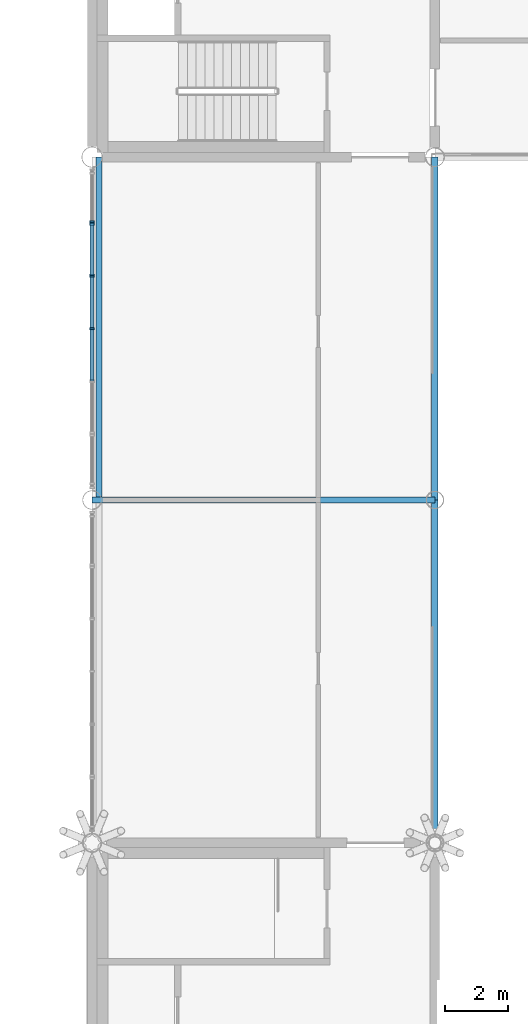
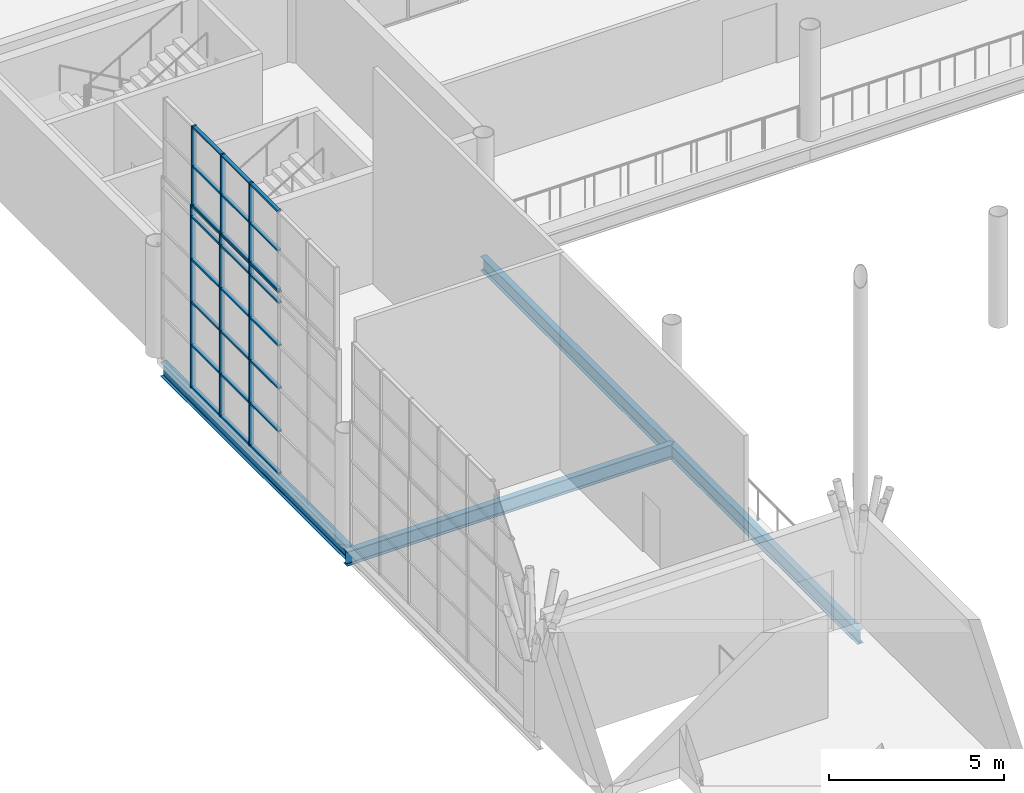
# One storey, part 15 of 95: 33 members, 4 beams, 2 elements without a shape of their own.
"""IFC4 building model written with IfcOpenShell, lengths in metres."""

from ifc_helpers import new_model, si_unit, direction, frame, origin, origin_2d, place, context, subcontext, project, spatial, rectangle, i_section, extrude, material, layer, layer_set, material_profile, profile_set, type_object, element, aggregate, save


model = new_model("IFC4")

# Units and contexts
model_context = context("Model", 3, precision=1e-05, world=origin(), true_north=direction((0.0, 1.0)))
body_context = subcontext(model_context, "Body", "Model", "MODEL_VIEW")
ifc_project = project(units=[si_unit("LENGTHUNIT", "METRE"), si_unit("AREAUNIT", "SQUARE_METRE"), si_unit("VOLUMEUNIT", "CUBIC_METRE"), si_unit("PLANEANGLEUNIT", "RADIAN"), si_unit("MASSUNIT", "GRAM", prefix="KILO")], contexts=[model_context])

# Site, building, storey
site_placement = place(None, origin())
site = spatial("IfcSite", under=ifc_project, at=site_placement, CompositionType="ELEMENT")
building_placement = place(site_placement, origin())
building = spatial("IfcBuilding", under=site, at=building_placement, Name="Magnolia Steps Interchange", CompositionType="ELEMENT")
storey_placement = place(building_placement, frame((0.0, 0.0, 4.800048828125)))
storey = spatial("IfcBuildingStorey", under=building, at=storey_placement, Name="L01", CompositionType="ELEMENT", Elevation=4.800048828125)

# Curtain wall, members
ifc_material_1 = material(Name="Powder-coated aluminium and glass", Category="aluminium")
ifc_layer_1 = layer(ifc_material_1, 0.14990234375)
ifc_layer_set_1 = layer_set([ifc_layer_1], Name="Glazed hall curtain wall")
curtain_wall_type_1 = type_object("IfcCurtainWallType", Name="Glazed hall curtain wall", PredefinedType="NOTDEFINED", material=ifc_layer_set_1)
curtain_wall_1_placement = place(storey_placement, origin())
curtain_wall_1 = element("IfcCurtainWall", 1, at=curtain_wall_1_placement, inside=storey, type_object=curtain_wall_type_1, Name="Hall glazing W3 L01", PredefinedType="NOTDEFINED")
ifc_material_2 = material(Name="White powder-coated aluminium", Category="aluminium")
ifc_material_profile_1 = material_profile(ifc_material_2, rectangle(XDim=0.06005859375, YDim=0.14990234375, at=origin_2d()), Name="Aluminium mullion 60 x 150")
ifc_profile_set_1 = profile_set([ifc_material_profile_1], Name="White powder-coated aluminium")
member_type_1 = type_object("IfcMemberType", Name="Aluminium mullion 60 x 150", PredefinedType="MULLION", material=ifc_profile_set_1)
member_1_placement = place(storey_placement, frame((53.199951171875, 69.39990234375, 0.0), z_axis=(0.0, 0.0, 1.0), x_axis=(0.0, 1.0, 0.0)))
member_1 = element("IfcMember", 2, at=member_1_placement, type_object=member_type_1, Name="CW1 mullion 4", PredefinedType="MULLION", context=body_context, shape_type="SweptSolid", body=[
    extrude(rectangle(XDim=0.06005859375, YDim=0.14990234375, at=origin_2d()), origin(), (0.0, 0.0, 1.0), 6.39990234375),
])
member_2_placement = place(storey_placement, frame((53.199951171875, 71.080078125, 0.0), z_axis=(0.0, 0.0, 1.0), x_axis=(0.0, 1.0, 0.0)))
member_2 = element("IfcMember", 3, at=member_2_placement, type_object=member_type_1, Name="CW1 mullion 5", PredefinedType="MULLION", context=body_context, shape_type="SweptSolid", body=[
    extrude(rectangle(XDim=0.06005859375, YDim=0.14990234375, at=origin_2d()), origin(), (0.0, 0.0, 1.0), 6.39990234375),
])
member_3_placement = place(storey_placement, frame((53.199951171875, 72.760009765625, 0.0), z_axis=(0.0, 0.0, 1.0), x_axis=(0.0, 1.0, 0.0)))
member_3 = element("IfcMember", 4, at=member_3_placement, type_object=member_type_1, Name="CW1 mullion 6", PredefinedType="MULLION", context=body_context, shape_type="SweptSolid", body=[
    extrude(rectangle(XDim=0.06005859375, YDim=0.14990234375, at=origin_2d()), origin(), (0.0, 0.0, 1.0), 6.39990234375),
])

ifc_material_3 = material(Name="Powder-coated aluminium and glass", Category="aluminium")
ifc_layer_2 = layer(ifc_material_3, 0.1201171875)
ifc_layer_set_2 = layer_set([ifc_layer_2], Name="Hall clerestory curtain wall")
curtain_wall_type_2 = type_object("IfcCurtainWallType", Name="Hall clerestory curtain wall", PredefinedType="NOTDEFINED", material=ifc_layer_set_2)
curtain_wall_2_placement = place(storey_placement, origin())
curtain_wall_2 = element("IfcCurtainWall", 5, at=curtain_wall_2_placement, inside=storey, type_object=curtain_wall_type_2, Name="Hall clerestory W3", PredefinedType="NOTDEFINED")
member_4_placement = place(storey_placement, frame((53.199951171875, 69.39990234375, 6.39990234375), z_axis=(0.0, 0.0, 1.0), x_axis=(0.0, 1.0, 0.0)))
member_4 = element("IfcMember", 6, at=member_4_placement, type_object=member_type_1, Name="CW6 mullion 4", PredefinedType="MULLION", context=body_context, shape_type="SweptSolid", body=[
    extrude(rectangle(XDim=0.06005859375, YDim=0.14990234375, at=origin_2d()), origin(), (0.0, 0.0, 1.0), 2.800048828125),
])
member_5_placement = place(storey_placement, frame((53.199951171875, 71.0400390625, 6.39990234375), z_axis=(0.0, 0.0, 1.0), x_axis=(0.0, 1.0, 0.0)))
member_5 = element("IfcMember", 7, at=member_5_placement, type_object=member_type_1, Name="CW6 mullion 5", PredefinedType="MULLION", context=body_context, shape_type="SweptSolid", body=[
    extrude(rectangle(XDim=0.06005859375, YDim=0.14990234375, at=origin_2d()), origin(), (0.0, 0.0, 1.0), 2.800048828125),
])
member_6_placement = place(storey_placement, frame((53.199951171875, 72.679931640625, 6.39990234375), z_axis=(0.0, 0.0, 1.0), x_axis=(0.0, 1.0, 0.0)))
member_6 = element("IfcMember", 8, at=member_6_placement, type_object=member_type_1, Name="CW6 mullion 6", PredefinedType="MULLION", context=body_context, shape_type="SweptSolid", body=[
    extrude(rectangle(XDim=0.06005859375, YDim=0.14990234375, at=origin_2d()), origin(), (0.0, 0.0, 1.0), 2.800048828125),
])

# Member
ifc_material_4 = material(Name="White powder-coated aluminium", Category="aluminium")
ifc_material_profile_2 = material_profile(ifc_material_4, rectangle(XDim=0.06005859375, YDim=0.1201171875, at=origin_2d()), Name="Aluminium transom 60 x 120")
ifc_profile_set_2 = profile_set([ifc_material_profile_2], Name="White powder-coated aluminium")
member_type_2 = type_object("IfcMemberType", Name="Aluminium transom 60 x 120", PredefinedType="USERDEFINED", material=ifc_profile_set_2)
member_7_placement = place(storey_placement, frame((53.199951171875, 67.75, 0.030029296875), z_axis=(0.0, 1.0, 0.0), x_axis=(0.0, 0.0, 1.0)))
member_7 = element("IfcMember", 9, at=member_7_placement, type_object=member_type_2, Name="CW1 transom 3.1", ObjectType="TRANSOM", PredefinedType="USERDEFINED", context=body_context, shape_type="SweptSolid", body=[
    extrude(rectangle(XDim=0.06005859375, YDim=0.1201171875, at=origin_2d()), origin(), (0.0, 0.0, 1.0), 1.6201171875),
])

member_8_placement = place(storey_placement, frame((53.199951171875, 67.75, 1.5), z_axis=(0.0, 1.0, 0.0), x_axis=(0.0, 0.0, 1.0)))
member_8 = element("IfcMember", 10, at=member_8_placement, type_object=member_type_2, Name="CW1 transom 3.2", ObjectType="TRANSOM", PredefinedType="USERDEFINED", context=body_context, shape_type="SweptSolid", body=[
    extrude(rectangle(XDim=0.06005859375, YDim=0.1201171875, at=origin_2d()), origin(), (0.0, 0.0, 1.0), 1.6201171875),
])

member_9_placement = place(storey_placement, frame((53.199951171875, 67.75, 3.0), z_axis=(0.0, 1.0, 0.0), x_axis=(0.0, 0.0, 1.0)))
member_9 = element("IfcMember", 11, at=member_9_placement, type_object=member_type_2, Name="CW1 transom 3.3", ObjectType="TRANSOM", PredefinedType="USERDEFINED", context=body_context, shape_type="SweptSolid", body=[
    extrude(rectangle(XDim=0.06005859375, YDim=0.1201171875, at=origin_2d()), origin(), (0.0, 0.0, 1.0), 1.6201171875),
])

member_10_placement = place(storey_placement, frame((53.199951171875, 67.75, 4.5), z_axis=(0.0, 1.0, 0.0), x_axis=(0.0, 0.0, 1.0)))
member_10 = element("IfcMember", 12, at=member_10_placement, type_object=member_type_2, Name="CW1 transom 3.4", ObjectType="TRANSOM", PredefinedType="USERDEFINED", context=body_context, shape_type="SweptSolid", body=[
    extrude(rectangle(XDim=0.06005859375, YDim=0.1201171875, at=origin_2d()), origin(), (0.0, 0.0, 1.0), 1.6201171875),
])

member_11_placement = place(storey_placement, frame((53.199951171875, 67.75, 6.0), z_axis=(0.0, 1.0, 0.0), x_axis=(0.0, 0.0, 1.0)))
member_11 = element("IfcMember", 13, at=member_11_placement, type_object=member_type_2, Name="CW1 transom 3.5", ObjectType="TRANSOM", PredefinedType="USERDEFINED", context=body_context, shape_type="SweptSolid", body=[
    extrude(rectangle(XDim=0.06005859375, YDim=0.1201171875, at=origin_2d()), origin(), (0.0, 0.0, 1.0), 1.6201171875),
])

member_12_placement = place(storey_placement, frame((53.199951171875, 67.75, 6.369873046875), z_axis=(0.0, 1.0, 0.0), x_axis=(0.0, 0.0, 1.0)))
member_12 = element("IfcMember", 14, at=member_12_placement, type_object=member_type_2, Name="CW1 transom 3.6", ObjectType="TRANSOM", PredefinedType="USERDEFINED", context=body_context, shape_type="SweptSolid", body=[
    extrude(rectangle(XDim=0.06005859375, YDim=0.1201171875, at=origin_2d()), origin(), (0.0, 0.0, 1.0), 1.6201171875),
])

member_13_placement = place(storey_placement, frame((53.199951171875, 69.429931640625, 0.030029296875), z_axis=(0.0, 1.0, 0.0), x_axis=(0.0, 0.0, 1.0)))
member_13 = element("IfcMember", 15, at=member_13_placement, type_object=member_type_2, Name="CW1 transom 4.1", ObjectType="TRANSOM", PredefinedType="USERDEFINED", context=body_context, shape_type="SweptSolid", body=[
    extrude(rectangle(XDim=0.06005859375, YDim=0.1201171875, at=origin_2d()), origin(), (0.0, 0.0, 1.0), 1.6201171875),
])

member_14_placement = place(storey_placement, frame((53.199951171875, 69.429931640625, 1.5), z_axis=(0.0, 1.0, 0.0), x_axis=(0.0, 0.0, 1.0)))
member_14 = element("IfcMember", 16, at=member_14_placement, type_object=member_type_2, Name="CW1 transom 4.2", ObjectType="TRANSOM", PredefinedType="USERDEFINED", context=body_context, shape_type="SweptSolid", body=[
    extrude(rectangle(XDim=0.06005859375, YDim=0.1201171875, at=origin_2d()), origin(), (0.0, 0.0, 1.0), 1.6201171875),
])

member_15_placement = place(storey_placement, frame((53.199951171875, 69.429931640625, 3.0), z_axis=(0.0, 1.0, 0.0), x_axis=(0.0, 0.0, 1.0)))
member_15 = element("IfcMember", 17, at=member_15_placement, type_object=member_type_2, Name="CW1 transom 4.3", ObjectType="TRANSOM", PredefinedType="USERDEFINED", context=body_context, shape_type="SweptSolid", body=[
    extrude(rectangle(XDim=0.06005859375, YDim=0.1201171875, at=origin_2d()), origin(), (0.0, 0.0, 1.0), 1.6201171875),
])

member_16_placement = place(storey_placement, frame((53.199951171875, 69.429931640625, 4.5), z_axis=(0.0, 1.0, 0.0), x_axis=(0.0, 0.0, 1.0)))
member_16 = element("IfcMember", 18, at=member_16_placement, type_object=member_type_2, Name="CW1 transom 4.4", ObjectType="TRANSOM", PredefinedType="USERDEFINED", context=body_context, shape_type="SweptSolid", body=[
    extrude(rectangle(XDim=0.06005859375, YDim=0.1201171875, at=origin_2d()), origin(), (0.0, 0.0, 1.0), 1.6201171875),
])

member_17_placement = place(storey_placement, frame((53.199951171875, 69.429931640625, 6.0), z_axis=(0.0, 1.0, 0.0), x_axis=(0.0, 0.0, 1.0)))
member_17 = element("IfcMember", 19, at=member_17_placement, type_object=member_type_2, Name="CW1 transom 4.5", ObjectType="TRANSOM", PredefinedType="USERDEFINED", context=body_context, shape_type="SweptSolid", body=[
    extrude(rectangle(XDim=0.06005859375, YDim=0.1201171875, at=origin_2d()), origin(), (0.0, 0.0, 1.0), 1.6201171875),
])

member_18_placement = place(storey_placement, frame((53.199951171875, 69.429931640625, 6.369873046875), z_axis=(0.0, 1.0, 0.0), x_axis=(0.0, 0.0, 1.0)))
member_18 = element("IfcMember", 20, at=member_18_placement, type_object=member_type_2, Name="CW1 transom 4.6", ObjectType="TRANSOM", PredefinedType="USERDEFINED", context=body_context, shape_type="SweptSolid", body=[
    extrude(rectangle(XDim=0.06005859375, YDim=0.1201171875, at=origin_2d()), origin(), (0.0, 0.0, 1.0), 1.6201171875),
])

member_19_placement = place(storey_placement, frame((53.199951171875, 71.110107421875, 0.030029296875), z_axis=(0.0, 1.0, 0.0), x_axis=(0.0, 0.0, 1.0)))
member_19 = element("IfcMember", 21, at=member_19_placement, type_object=member_type_2, Name="CW1 transom 5.1", ObjectType="TRANSOM", PredefinedType="USERDEFINED", context=body_context, shape_type="SweptSolid", body=[
    extrude(rectangle(XDim=0.06005859375, YDim=0.1201171875, at=origin_2d()), origin(), (0.0, 0.0, 1.0), 1.619873046875),
])

member_20_placement = place(storey_placement, frame((53.199951171875, 71.110107421875, 1.5), z_axis=(0.0, 1.0, 0.0), x_axis=(0.0, 0.0, 1.0)))
member_20 = element("IfcMember", 22, at=member_20_placement, type_object=member_type_2, Name="CW1 transom 5.2", ObjectType="TRANSOM", PredefinedType="USERDEFINED", context=body_context, shape_type="SweptSolid", body=[
    extrude(rectangle(XDim=0.06005859375, YDim=0.1201171875, at=origin_2d()), origin(), (0.0, 0.0, 1.0), 1.619873046875),
])

member_21_placement = place(storey_placement, frame((53.199951171875, 71.110107421875, 3.0), z_axis=(0.0, 1.0, 0.0), x_axis=(0.0, 0.0, 1.0)))
member_21 = element("IfcMember", 23, at=member_21_placement, type_object=member_type_2, Name="CW1 transom 5.3", ObjectType="TRANSOM", PredefinedType="USERDEFINED", context=body_context, shape_type="SweptSolid", body=[
    extrude(rectangle(XDim=0.06005859375, YDim=0.1201171875, at=origin_2d()), origin(), (0.0, 0.0, 1.0), 1.619873046875),
])

member_22_placement = place(storey_placement, frame((53.199951171875, 71.110107421875, 4.5), z_axis=(0.0, 1.0, 0.0), x_axis=(0.0, 0.0, 1.0)))
member_22 = element("IfcMember", 24, at=member_22_placement, type_object=member_type_2, Name="CW1 transom 5.4", ObjectType="TRANSOM", PredefinedType="USERDEFINED", context=body_context, shape_type="SweptSolid", body=[
    extrude(rectangle(XDim=0.06005859375, YDim=0.1201171875, at=origin_2d()), origin(), (0.0, 0.0, 1.0), 1.619873046875),
])

member_23_placement = place(storey_placement, frame((53.199951171875, 71.110107421875, 6.0), z_axis=(0.0, 1.0, 0.0), x_axis=(0.0, 0.0, 1.0)))
member_23 = element("IfcMember", 25, at=member_23_placement, type_object=member_type_2, Name="CW1 transom 5.5", ObjectType="TRANSOM", PredefinedType="USERDEFINED", context=body_context, shape_type="SweptSolid", body=[
    extrude(rectangle(XDim=0.06005859375, YDim=0.1201171875, at=origin_2d()), origin(), (0.0, 0.0, 1.0), 1.619873046875),
])

member_24_placement = place(storey_placement, frame((53.199951171875, 71.110107421875, 6.369873046875), z_axis=(0.0, 1.0, 0.0), x_axis=(0.0, 0.0, 1.0)))
member_24 = element("IfcMember", 26, at=member_24_placement, type_object=member_type_2, Name="CW1 transom 5.6", ObjectType="TRANSOM", PredefinedType="USERDEFINED", context=body_context, shape_type="SweptSolid", body=[
    extrude(rectangle(XDim=0.06005859375, YDim=0.1201171875, at=origin_2d()), origin(), (0.0, 0.0, 1.0), 1.619873046875),
])

aggregate(curtain_wall_1, [member_1, member_2, member_3, member_7, member_8, member_9, member_10, member_11, member_12, member_13, member_14, member_15, member_16, member_17, member_18, member_19, member_20, member_21, member_22, member_23, member_24])

member_25_placement = place(storey_placement, frame((53.199951171875, 67.7900390625, 6.429931640625), z_axis=(0.0, 1.0, 0.0), x_axis=(0.0, 0.0, 1.0)))
member_25 = element("IfcMember", 27, at=member_25_placement, type_object=member_type_2, Name="CW6 transom 3.1", ObjectType="TRANSOM", PredefinedType="USERDEFINED", context=body_context, shape_type="SweptSolid", body=[
    extrude(rectangle(XDim=0.06005859375, YDim=0.1201171875, at=origin_2d()), origin(), (0.0, 0.0, 1.0), 1.580078125),
])

member_26_placement = place(storey_placement, frame((53.199951171875, 67.7900390625, 7.800048828125), z_axis=(0.0, 1.0, 0.0), x_axis=(0.0, 0.0, 1.0)))
member_26 = element("IfcMember", 28, at=member_26_placement, type_object=member_type_2, Name="CW6 transom 3.2", ObjectType="TRANSOM", PredefinedType="USERDEFINED", context=body_context, shape_type="SweptSolid", body=[
    extrude(rectangle(XDim=0.06005859375, YDim=0.1201171875, at=origin_2d()), origin(), (0.0, 0.0, 1.0), 1.580078125),
])

member_27_placement = place(storey_placement, frame((53.199951171875, 67.7900390625, 9.169921875), z_axis=(0.0, 1.0, 0.0), x_axis=(0.0, 0.0, 1.0)))
member_27 = element("IfcMember", 29, at=member_27_placement, type_object=member_type_2, Name="CW6 transom 3.3", ObjectType="TRANSOM", PredefinedType="USERDEFINED", context=body_context, shape_type="SweptSolid", body=[
    extrude(rectangle(XDim=0.06005859375, YDim=0.1201171875, at=origin_2d()), origin(), (0.0, 0.0, 1.0), 1.580078125),
])

member_28_placement = place(storey_placement, frame((53.199951171875, 69.429931640625, 6.429931640625), z_axis=(0.0, 1.0, 0.0), x_axis=(0.0, 0.0, 1.0)))
member_28 = element("IfcMember", 30, at=member_28_placement, type_object=member_type_2, Name="CW6 transom 4.1", ObjectType="TRANSOM", PredefinedType="USERDEFINED", context=body_context, shape_type="SweptSolid", body=[
    extrude(rectangle(XDim=0.06005859375, YDim=0.1201171875, at=origin_2d()), origin(), (0.0, 0.0, 1.0), 1.580078125),
])

member_29_placement = place(storey_placement, frame((53.199951171875, 69.429931640625, 7.800048828125), z_axis=(0.0, 1.0, 0.0), x_axis=(0.0, 0.0, 1.0)))
member_29 = element("IfcMember", 31, at=member_29_placement, type_object=member_type_2, Name="CW6 transom 4.2", ObjectType="TRANSOM", PredefinedType="USERDEFINED", context=body_context, shape_type="SweptSolid", body=[
    extrude(rectangle(XDim=0.06005859375, YDim=0.1201171875, at=origin_2d()), origin(), (0.0, 0.0, 1.0), 1.580078125),
])

member_30_placement = place(storey_placement, frame((53.199951171875, 69.429931640625, 9.169921875), z_axis=(0.0, 1.0, 0.0), x_axis=(0.0, 0.0, 1.0)))
member_30 = element("IfcMember", 32, at=member_30_placement, type_object=member_type_2, Name="CW6 transom 4.3", ObjectType="TRANSOM", PredefinedType="USERDEFINED", context=body_context, shape_type="SweptSolid", body=[
    extrude(rectangle(XDim=0.06005859375, YDim=0.1201171875, at=origin_2d()), origin(), (0.0, 0.0, 1.0), 1.580078125),
])

member_31_placement = place(storey_placement, frame((53.199951171875, 71.070068359375, 6.429931640625), z_axis=(0.0, 1.0, 0.0), x_axis=(0.0, 0.0, 1.0)))
member_31 = element("IfcMember", 33, at=member_31_placement, type_object=member_type_2, Name="CW6 transom 5.1", ObjectType="TRANSOM", PredefinedType="USERDEFINED", context=body_context, shape_type="SweptSolid", body=[
    extrude(rectangle(XDim=0.06005859375, YDim=0.1201171875, at=origin_2d()), origin(), (0.0, 0.0, 1.0), 1.579833984375),
])

member_32_placement = place(storey_placement, frame((53.199951171875, 71.070068359375, 7.800048828125), z_axis=(0.0, 1.0, 0.0), x_axis=(0.0, 0.0, 1.0)))
member_32 = element("IfcMember", 34, at=member_32_placement, type_object=member_type_2, Name="CW6 transom 5.2", ObjectType="TRANSOM", PredefinedType="USERDEFINED", context=body_context, shape_type="SweptSolid", body=[
    extrude(rectangle(XDim=0.06005859375, YDim=0.1201171875, at=origin_2d()), origin(), (0.0, 0.0, 1.0), 1.579833984375),
])

member_33_placement = place(storey_placement, frame((53.199951171875, 71.070068359375, 9.169921875), z_axis=(0.0, 1.0, 0.0), x_axis=(0.0, 0.0, 1.0)))
member_33 = element("IfcMember", 35, at=member_33_placement, type_object=member_type_2, Name="CW6 transom 5.3", ObjectType="TRANSOM", PredefinedType="USERDEFINED", context=body_context, shape_type="SweptSolid", body=[
    extrude(rectangle(XDim=0.06005859375, YDim=0.1201171875, at=origin_2d()), origin(), (0.0, 0.0, 1.0), 1.579833984375),
])

aggregate(curtain_wall_2, [member_4, member_5, member_6, member_25, member_26, member_27, member_28, member_29, member_30, member_31, member_32, member_33])

# Beams
ifc_material_5 = material(Name="Steel Q355B", Category="steel")
ifc_material_profile_3 = material_profile(ifc_material_5, i_section(OverallWidth=0.199951171875, OverallDepth=0.5, WebThickness=0.010009765625, FlangeThickness=0.01611328125, FilletRadius=0.02001953125, at=origin_2d()), Name="HN500x200")
ifc_profile_set_3 = profile_set([ifc_material_profile_3], Name="Steel Q355B")
beam_type = type_object("IfcBeamType", Name="Steel composite beam HN500x200", PredefinedType="BEAM", material=ifc_profile_set_3)
for number, where, z_axis, x_axis, name in (
    (36, (53.199951171875, 64.0, -0.650146484375), (1.0, 0.0, 0.0), (0.0, 1.0, 0.0), "Beam L01 F 5-6"),
    (37, (53.419921875, 64.0, -0.650146484375), (0.0, 1.0, 0.0), (-1.0, 0.0, 0.0), "Beam L01 5 F-G"),
    (38, (64.0, 53.199951171875, -0.650146484375), (0.0, 1.0, 0.0), (-1.0, 0.0, 0.0), "Beam L01 6 E-F"),
    (39, (64.0, 64.0, -0.650146484375), (0.0, 1.0, 0.0), (-1.0, 0.0, 0.0), "Beam L01 6 F-G"),
):
    element("IfcBeam", number, at=place(storey_placement, frame(where, z_axis=z_axis, x_axis=x_axis)), inside=storey, type_object=beam_type, Name=name, PredefinedType="BEAM", context=body_context, shape_type="SweptSolid", body=[
        extrude(i_section(OverallWidth=0.199951171875, OverallDepth=0.5, WebThickness=0.010009765625, FlangeThickness=0.01611328125, FilletRadius=0.02001953125, at=origin_2d()), origin(), (0.0, 0.0, 1.0), 10.800048828125),
    ])

save(model, "model.ifc")
